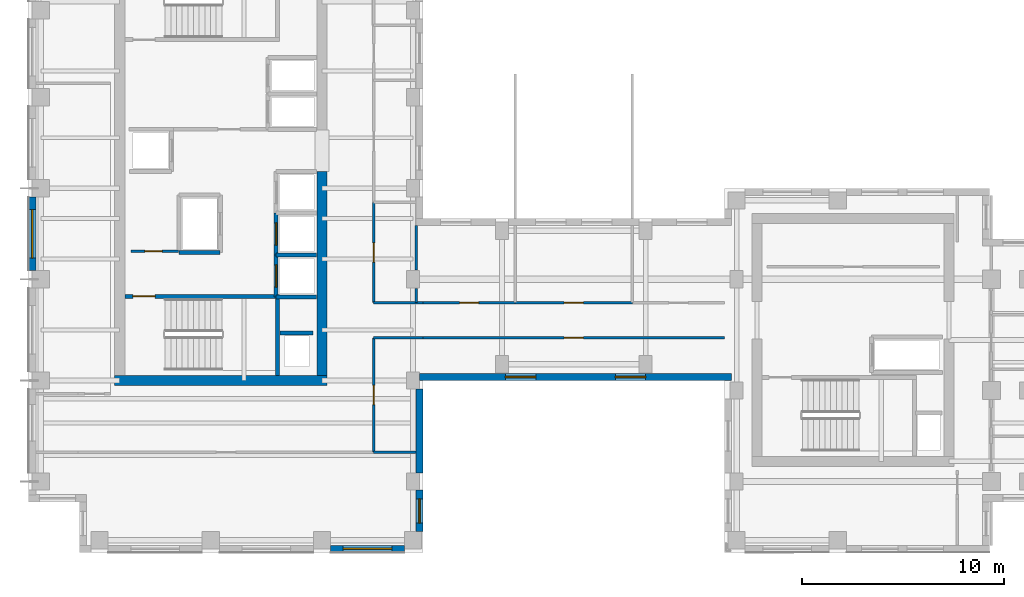
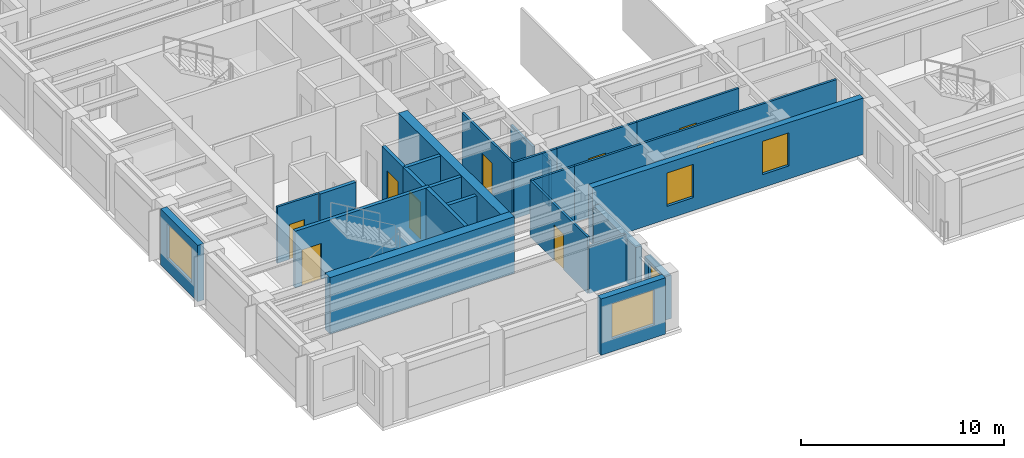
# One storey, part 3 of 10: 26 walls, 9 doors, 5 windows, 14 openings.
"""IFC4 building model written with IfcOpenShell, lengths in metres."""

from ifc_helpers import new_model, si_unit, direction, frame, frame_2d, origin, place, context, subcontext, project, spatial, rectangle, extrude, source, transform, mapped, material, layer, layer_set, type_object, element, fill, save


model = new_model("IFC4")

# Units and contexts
model_context = context("Model", 3, precision=1e-05, world=origin(), true_north=direction((0.0, 1.0)))
body_context = subcontext(model_context, "Body", "Model", "MODEL_VIEW")
ifc_project = project(units=[si_unit("LENGTHUNIT", "METRE"), si_unit("AREAUNIT", "SQUARE_METRE"), si_unit("VOLUMEUNIT", "CUBIC_METRE"), si_unit("PLANEANGLEUNIT", "RADIAN"), si_unit("MASSUNIT", "GRAM", prefix="KILO")], contexts=[model_context])

# Site, building, storey
site_placement = place(None, origin())
site = spatial("IfcSite", under=ifc_project, at=site_placement, CompositionType="ELEMENT")
building_placement = place(site_placement, origin())
building = spatial("IfcBuilding", under=site, at=building_placement, Name="Kharzan Plaza Tower", CompositionType="ELEMENT")
storey_placement = place(building_placement, frame((0.0, 0.0, 223.199951171875)))
storey = spatial("IfcBuildingStorey", under=building, at=storey_placement, Name="L60", CompositionType="ELEMENT", Elevation=223.199951171875)

# Wall, opening, window
ifc_material_1 = material(Name="Concrete C40/50", Category="concrete")
ifc_layer_1 = layer(ifc_material_1, 0.35009765625)
ifc_layer_set_1 = layer_set([ifc_layer_1], Name="Concrete C40/50")
wall_type_1 = type_object("IfcWallType", Name="WL-EXT-MAS-Z4", PredefinedType="SOLIDWALL", material=ifc_layer_set_1)
wall_1_placement = place(storey_placement, frame((0.175048828125, 17.576904296875, 0.0), z_axis=(0.0, 0.0, 1.0), x_axis=(0.0, -1.0, 0.0)))
wall_1 = element("IfcWall", 1, at=wall_1_placement, inside=storey, type_object=wall_type_1, Name="L60 Masonry-Frame Exterior Wall 20", PredefinedType="SOLIDWALL", context=body_context, shape_type="SweptSolid", body=[
    extrude(rectangle(XDim=3.65380859375, YDim=0.35009765625, at=frame_2d((1.826904296875, 0.0))), origin(), (0.0, 0.0, 1.0), 3.385009765625),
])
opening_1_placement = place(wall_1_placement, frame((0.626953125, 0.0, 0.780029296875)))
opening_1 = element("IfcOpeningElement", 2, at=opening_1_placement, cuts=wall_1, Name="Opening W2", PredefinedType="OPENING", context=body_context, shape_type="SweptSolid", body=[
    extrude(rectangle(XDim=2.39990234375, YDim=2.10009765625, at=frame_2d((1.199951171875, 1.050048828125))), frame((0.0, 0.18505859375, 0.0), z_axis=(0.0, -1.0, 0.0), x_axis=(1.0, 0.0, 0.0)), (0.0, 0.0, 1.0), 0.3701171875),
])
ifc_material_2 = material(Name="Low-E Double Glazing", Category="glass")
window_type_1 = type_object("IfcWindowType", Name="WN-REC-2400x2100", PartitioningType="SINGLE_PANEL", PredefinedType="WINDOW", material=ifc_material_2)
shared_shape_1 = source(origin(), body_context, "Body", "SweptSolid", [
    extrude(rectangle(XDim=2.39990234375, YDim=2.10009765625, at=frame_2d((1.199951171875, 1.050048828125))), frame((0.0, 0.030029296875, 0.0), z_axis=(0.0, -1.0, 0.0), x_axis=(1.0, 0.0, 0.0)), (0.0, 0.0, 1.0), 0.06005859375),
])
window_1_placement = place(opening_1_placement, origin())
window_1 = element("IfcWindow", 3, at=window_1_placement, inside=storey, type_object=window_type_1, Name="L60 Wide Recessed Solar-Control Window 20-1", OverallHeight=2.10009765625, OverallWidth=2.39990234375, PartitioningType="SINGLE_PANEL", PredefinedType="WINDOW", context=body_context, shape_type="MappedRepresentation", body=[
    mapped(shared_shape_1, transform((0.0, 0.0, 0.0), x_axis=(1.0, 0.0, 0.0), y_axis=(0.0, 1.0, 0.0), z_axis=(0.0, 0.0, 1.0))),
])
fill(opening_1, window_1)

wall_2_placement = place(storey_placement, frame((14.923095703125, 0.175048828125, 0.0), z_axis=(0.0, 0.0, 1.0), x_axis=(1.0, 0.0, 0.0)))
wall_2 = element("IfcWall", 4, at=wall_2_placement, inside=storey, type_object=wall_type_1, Name="L60 Masonry-Frame Exterior Wall 29", PredefinedType="SOLIDWALL", context=body_context, shape_type="SweptSolid", body=[
    extrude(rectangle(XDim=3.65380859375, YDim=0.35009765625, at=frame_2d((1.826904296875, 0.0))), origin(), (0.0, 0.0, 1.0), 3.385009765625),
])
opening_2_placement = place(wall_2_placement, frame((0.626953125, 0.0, 0.780029296875)))
opening_2 = element("IfcOpeningElement", 5, at=opening_2_placement, cuts=wall_2, Name="Opening W2", PredefinedType="OPENING", context=body_context, shape_type="SweptSolid", body=[
    extrude(rectangle(XDim=2.39990234375, YDim=2.10009765625, at=frame_2d((1.199951171875, 1.050048828125))), frame((0.0, 0.18505859375, 0.0), z_axis=(0.0, -1.0, 0.0), x_axis=(1.0, 0.0, 0.0)), (0.0, 0.0, 1.0), 0.3701171875),
])
window_2_placement = place(opening_2_placement, origin())
window_2 = element("IfcWindow", 6, at=window_2_placement, inside=storey, type_object=window_type_1, Name="L60 Wide Recessed Solar-Control Window 29-1", OverallHeight=2.10009765625, OverallWidth=2.39990234375, PartitioningType="SINGLE_PANEL", PredefinedType="WINDOW", context=body_context, shape_type="MappedRepresentation", body=[
    mapped(shared_shape_1, transform((0.0, 0.0, 0.0), x_axis=(1.0, 0.0, 0.0), y_axis=(0.0, 1.0, 0.0), z_axis=(0.0, 0.0, 1.0))),
])
fill(opening_2, window_2)

wall_3_placement = place(storey_placement, frame((19.324951171875, 1.02294921875, 0.0), z_axis=(0.0, 0.0, 1.0), x_axis=(0.0, 1.0, 0.0)))
wall_3 = element("IfcWall", 7, at=wall_3_placement, inside=storey, type_object=wall_type_1, Name="L60 Masonry-Frame Exterior Wall 30", PredefinedType="SOLIDWALL", context=body_context, shape_type="SweptSolid", body=[
    extrude(rectangle(XDim=2.053955078125, YDim=0.35009765625, at=frame_2d((1.02685546875, 0.0))), origin(), (0.0, 0.0, 1.0), 2.619140625),
])
opening_3_placement = place(wall_3_placement, frame((0.427001953125, 0.0, 0.780029296875)))
opening_3 = element("IfcOpeningElement", 8, at=opening_3_placement, cuts=wall_3, Name="Opening W3", PredefinedType="OPENING", context=body_context, shape_type="SweptSolid", body=[
    extrude(rectangle(XDim=1.199951171875, YDim=1.658935546875, at=frame_2d((0.60009765625, 0.82958984375))), frame((0.0, 0.18505859375, 0.0), z_axis=(0.0, -1.0, 0.0), x_axis=(1.0, 0.0, 0.0)), (0.0, 0.0, 1.0), 0.3701171875),
])
window_type_2 = type_object("IfcWindowType", Name="WN-REC-1200x2100", PartitioningType="SINGLE_PANEL", PredefinedType="WINDOW", material=ifc_material_2)
shared_shape_2 = source(origin(), body_context, "Body", "SweptSolid", [
    extrude(rectangle(XDim=1.199951171875, YDim=1.658935546875, at=frame_2d((0.60009765625, 0.82958984375))), frame((0.0, 0.030029296875, 0.0), z_axis=(0.0, -1.0, 0.0), x_axis=(1.0, 0.0, 0.0)), (0.0, 0.0, 1.0), 0.06005859375),
])
window_3_placement = place(opening_3_placement, origin())
window_3 = element("IfcWindow", 9, at=window_3_placement, inside=storey, type_object=window_type_2, Name="L60 Recessed Solar-Control Window 30-1", OverallHeight=1.658935546875, OverallWidth=1.199951171875, PartitioningType="SINGLE_PANEL", PredefinedType="WINDOW", context=body_context, shape_type="MappedRepresentation", body=[
    mapped(shared_shape_2, transform((0.0, 0.0, 0.0), x_axis=(1.0, 0.0, 0.0), y_axis=(0.0, 1.0, 0.0), z_axis=(0.0, 0.0, 1.0))),
])
fill(opening_3, window_3)

# Wall, openings, windows
wall_4_placement = place(storey_placement, frame((19.322998046875, 8.675048828125, 0.0), z_axis=(0.0, 0.0, 1.0), x_axis=(1.0, 0.0, 0.0)))
wall_4 = element("IfcWall", 10, at=wall_4_placement, inside=storey, type_object=wall_type_1, Name="L60 Masonry-Frame Exterior Wall 32", PredefinedType="SOLIDWALL", context=body_context, shape_type="SweptSolid", body=[
    extrude(rectangle(XDim=15.427001953125, YDim=0.35009765625, at=frame_2d((7.71337890625, 0.0))), origin(), (0.0, 0.0, 1.0), 3.385009765625),
])
opening_4_placement = place(wall_4_placement, frame((4.2490234375, 0.0, 0.780029296875)))
opening_4 = element("IfcOpeningElement", 11, at=opening_4_placement, cuts=wall_4, Name="Opening W5", PredefinedType="OPENING", context=body_context, shape_type="SweptSolid", body=[
    extrude(rectangle(XDim=1.5, YDim=2.0, at=frame_2d((0.75, 1.0))), frame((0.0, 0.18505859375, 0.0), z_axis=(0.0, -1.0, 0.0), x_axis=(1.0, 0.0, 0.0)), (0.0, 0.0, 1.0), 0.3701171875),
])
opening_5_placement = place(wall_4_placement, frame((9.677978515625, 0.0, 0.780029296875)))
opening_5 = element("IfcOpeningElement", 12, at=opening_5_placement, cuts=wall_4, Name="Opening W5", PredefinedType="OPENING", context=body_context, shape_type="SweptSolid", body=[
    extrude(rectangle(XDim=1.5, YDim=2.0, at=frame_2d((0.75, 1.0))), frame((0.0, 0.18505859375, 0.0), z_axis=(0.0, -1.0, 0.0), x_axis=(1.0, 0.0, 0.0)), (0.0, 0.0, 1.0), 0.3701171875),
])
window_type_3 = type_object("IfcWindowType", Name="WN-SLT-1500x2000", PartitioningType="SINGLE_PANEL", PredefinedType="WINDOW", material=ifc_material_2)
shared_shape_3 = source(origin(), body_context, "Body", "SweptSolid", [
    extrude(rectangle(XDim=1.5, YDim=2.0, at=frame_2d((0.75, 1.0))), frame((0.0, 0.030029296875, 0.0), z_axis=(0.0, -1.0, 0.0), x_axis=(1.0, 0.0, 0.0)), (0.0, 0.0, 1.0), 0.06005859375),
])
window_4_placement = place(opening_4_placement, origin())
window_4 = element("IfcWindow", 13, at=window_4_placement, inside=storey, type_object=window_type_3, Name="L60 Recessed Solar-Control Window 32-1", OverallHeight=2.0, OverallWidth=1.5, PartitioningType="SINGLE_PANEL", PredefinedType="WINDOW", context=body_context, shape_type="MappedRepresentation", body=[
    mapped(shared_shape_3, transform((0.0, 0.0, 0.0), x_axis=(1.0, 0.0, 0.0), y_axis=(0.0, 1.0, 0.0), z_axis=(0.0, 0.0, 1.0))),
])
fill(opening_4, window_4)
window_5_placement = place(opening_5_placement, origin())
window_5 = element("IfcWindow", 14, at=window_5_placement, inside=storey, type_object=window_type_3, Name="L60 Recessed Solar-Control Window 32-2", OverallHeight=2.0, OverallWidth=1.5, PartitioningType="SINGLE_PANEL", PredefinedType="WINDOW", context=body_context, shape_type="MappedRepresentation", body=[
    mapped(shared_shape_3, transform((0.0, 0.0, 0.0), x_axis=(1.0, 0.0, 0.0), y_axis=(0.0, 1.0, 0.0), z_axis=(0.0, 0.0, 1.0))),
])
fill(opening_5, window_5)

# Wall, opening, door
ifc_material_3 = material(Name="Fire-Rated Gypsum Board Partition", Category="gypsum")
ifc_layer_2 = layer(ifc_material_3, 0.125)
ifc_layer_set_2 = layer_set([ifc_layer_2], Name="Fire-Rated Gypsum Board Partition")
wall_type_2 = type_object("IfcWallType", Name="WL-INT-PART-125", PredefinedType="PARTITIONING", material=ifc_layer_set_2)
wall_5_placement = place(storey_placement, frame((5.050048828125, 14.8798828125, 0.0), z_axis=(0.0, 0.0, 1.0), x_axis=(1.0, 0.0, 0.0)))
wall_5 = element("IfcWall", 15, at=wall_5_placement, inside=storey, type_object=wall_type_2, Name="L60 Interior Partition CA-K0", PredefinedType="PARTITIONING", context=body_context, shape_type="SweptSolid", body=[
    extrude(rectangle(XDim=2.349853515625, YDim=0.125, at=frame_2d((1.1748046875, 0.0))), origin(), (0.0, 0.0, 1.0), 3.385009765625),
])
opening_6_placement = place(wall_5_placement, frame((0.699951171875, 0.0, 0.0)))
opening_6 = element("IfcOpeningElement", 16, at=opening_6_placement, cuts=wall_5, Name="Opening RD1", PredefinedType="OPENING", context=body_context, shape_type="SweptSolid", body=[
    extrude(rectangle(XDim=0.85009765625, YDim=2.10009765625, at=frame_2d((0.425048828125, 1.050048828125))), frame((0.0, 0.072509765625, 0.0), z_axis=(0.0, -1.0, 0.0), x_axis=(1.0, 0.0, 0.0)), (0.0, 0.0, 1.0), 0.14501953125),
])
ifc_material_4 = material(Name="Powder-Coated Fire-Rated Steel", Category="steel")
door_type_1 = type_object("IfcDoorType", Name="DR-RISER-900", OperationType="NOTDEFINED", PredefinedType="DOOR", material=ifc_material_4)
shared_shape_4 = source(origin(), body_context, "Body", "SweptSolid", [
    extrude(rectangle(XDim=0.85009765625, YDim=2.10009765625, at=frame_2d((0.425048828125, 1.050048828125))), frame((0.0, 0.02490234375, 0.0), z_axis=(0.0, -1.0, 0.0), x_axis=(1.0, 0.0, 0.0)), (0.0, 0.0, 1.0), 0.050048828125),
])
door_1_placement = place(opening_6_placement, origin())
door_1 = element("IfcDoor", 17, at=door_1_placement, inside=storey, type_object=door_type_1, Name="L60 Cleaners Store Door", OperationType="SINGLE_SWING_LEFT", OverallHeight=2.10009765625, OverallWidth=0.85009765625, PredefinedType="DOOR", context=body_context, shape_type="MappedRepresentation", body=[
    mapped(shared_shape_4, transform((0.0, 0.0, 0.0), x_axis=(1.0, 0.0, 0.0), y_axis=(0.0, 1.0, 0.0), z_axis=(0.0, 0.0, 1.0))),
])
fill(opening_6, door_1)

wall_6_placement = place(storey_placement, frame((17.050048828125, 12.35009765625, 0.0), z_axis=(0.0, 0.0, 1.0), x_axis=(0.0, 1.0, 0.0)))
wall_6 = element("IfcWall", 18, at=wall_6_placement, inside=storey, type_object=wall_type_2, Name="L60 Interior Partition SH-AEWN1", PredefinedType="PARTITIONING", context=body_context, shape_type="SweptSolid", body=[
    extrude(rectangle(XDim=4.949951171875, YDim=0.125, at=frame_2d((2.47509765625, 0.0))), origin(), (0.0, 0.0, 1.0), 3.385009765625),
])
opening_7_placement = place(wall_6_placement, frame((2.0, 0.0, 0.0)))
opening_7 = element("IfcOpeningElement", 19, at=opening_7_placement, cuts=wall_6, Name="Opening OD1", PredefinedType="OPENING", context=body_context, shape_type="SweptSolid", body=[
    extrude(rectangle(XDim=0.949951171875, YDim=2.14990234375, at=frame_2d((0.47509765625, 1.074951171875))), frame((0.0, 0.072509765625, 0.0), z_axis=(0.0, -1.0, 0.0), x_axis=(1.0, 0.0, 0.0)), (0.0, 0.0, 1.0), 0.14501953125),
])
ifc_material_5 = material(Name="Acoustic Solid-Core Stained Oak", Category="timber")
door_type_2 = type_object("IfcDoorType", Name="DR-OFF-SINGLE", OperationType="NOTDEFINED", PredefinedType="DOOR", material=ifc_material_5)
shared_shape_5 = source(origin(), body_context, "Body", "SweptSolid", [
    extrude(rectangle(XDim=0.949951171875, YDim=2.14990234375, at=frame_2d((0.47509765625, 1.074951171875))), frame((0.0, 0.02490234375, 0.0), z_axis=(0.0, -1.0, 0.0), x_axis=(1.0, 0.0, 0.0)), (0.0, 0.0, 1.0), 0.050048828125),
])
door_2_placement = place(opening_7_placement, origin())
door_2 = element("IfcDoor", 20, at=door_2_placement, inside=storey, type_object=door_type_2, Name="L60 Slot Collaboration Door", OperationType="SINGLE_SWING_LEFT", OverallHeight=2.14990234375, OverallWidth=0.949951171875, PredefinedType="DOOR", context=body_context, shape_type="MappedRepresentation", body=[
    mapped(shared_shape_5, transform((0.0, 0.0, 0.0), x_axis=(1.0, 0.0, 0.0), y_axis=(0.0, 1.0, 0.0), z_axis=(0.0, 0.0, 1.0))),
])
fill(opening_7, door_2)

wall_7_placement = place(storey_placement, frame((17.050048828125, 4.949951171875, 0.0), z_axis=(0.0, 0.0, 1.0), x_axis=(0.0, 1.0, 0.0)))
wall_7 = element("IfcWall", 21, at=wall_7_placement, inside=storey, type_object=wall_type_2, Name="L60 Interior Partition SH-AEWS", PredefinedType="PARTITIONING", context=body_context, shape_type="SweptSolid", body=[
    extrude(rectangle(XDim=5.650146484375, YDim=0.125, at=frame_2d((2.8251953125, 0.0))), origin(), (0.0, 0.0, 1.0), 3.385009765625),
])
opening_8_placement = place(wall_7_placement, frame((2.35009765625, 0.0, 0.0)))
opening_8 = element("IfcOpeningElement", 22, at=opening_8_placement, cuts=wall_7, Name="Opening OD1", PredefinedType="OPENING", context=body_context, shape_type="SweptSolid", body=[
    extrude(rectangle(XDim=0.949951171875, YDim=2.14990234375, at=frame_2d((0.47509765625, 1.074951171875))), frame((0.0, 0.072509765625, 0.0), z_axis=(0.0, -1.0, 0.0), x_axis=(1.0, 0.0, 0.0)), (0.0, 0.0, 1.0), 0.14501953125),
])
door_3_placement = place(opening_8_placement, origin())
door_3 = element("IfcDoor", 23, at=door_3_placement, inside=storey, type_object=door_type_2, Name="L60 Slot South Office Door", OperationType="SINGLE_SWING_RIGHT", OverallHeight=2.14990234375, OverallWidth=0.949951171875, PredefinedType="DOOR", context=body_context, shape_type="MappedRepresentation", body=[
    mapped(shared_shape_5, transform((0.0, 0.0, 0.0), x_axis=(1.0, 0.0, 0.0), y_axis=(0.0, 1.0, 0.0), z_axis=(0.0, 0.0, 1.0))),
])
fill(opening_8, door_3)

wall_8_placement = place(storey_placement, frame((24.050048828125, 12.35009765625, 0.0), z_axis=(0.0, 0.0, 1.0), x_axis=(1.0, 0.0, 0.0)))
wall_8 = element("IfcWall", 24, at=wall_8_placement, inside=storey, type_object=wall_type_2, Name="L60 Interior Partition SH-SPNM", PredefinedType="PARTITIONING", context=body_context, shape_type="SweptSolid", body=[
    extrude(rectangle(XDim=5.800048828125, YDim=0.125, at=frame_2d((2.89990234375, 0.0))), origin(), (0.0, 0.0, 1.0), 3.385009765625),
])
opening_9_placement = place(wall_8_placement, frame((2.425048828125, 0.0, 0.0)))
opening_9 = element("IfcOpeningElement", 25, at=opening_9_placement, cuts=wall_8, Name="Opening OD1", PredefinedType="OPENING", context=body_context, shape_type="SweptSolid", body=[
    extrude(rectangle(XDim=0.949951171875, YDim=2.14990234375, at=frame_2d((0.47509765625, 1.074951171875))), frame((0.0, 0.072509765625, 0.0), z_axis=(0.0, -1.0, 0.0), x_axis=(1.0, 0.0, 0.0)), (0.0, 0.0, 1.0), 0.14501953125),
])
door_4_placement = place(opening_9_placement, origin())
door_4 = element("IfcDoor", 26, at=door_4_placement, inside=storey, type_object=door_type_2, Name="L60 Reclaimed Spine Door", OperationType="SINGLE_SWING_RIGHT", OverallHeight=2.14990234375, OverallWidth=0.949951171875, PredefinedType="DOOR", context=body_context, shape_type="MappedRepresentation", body=[
    mapped(shared_shape_5, transform((0.0, 0.0, 0.0), x_axis=(1.0, 0.0, 0.0), y_axis=(0.0, 1.0, 0.0), z_axis=(0.0, 0.0, 1.0))),
])
fill(opening_9, door_4)

wall_9_placement = place(storey_placement, frame((19.5, 12.35009765625, 0.0), z_axis=(0.0, 0.0, 1.0), x_axis=(1.0, 0.0, 0.0)))
wall_9 = element("IfcWall", 27, at=wall_9_placement, inside=storey, type_object=wall_type_2, Name="L60 Interior Partition SH-SPNW1", PredefinedType="PARTITIONING", context=body_context, shape_type="SweptSolid", body=[
    extrude(rectangle(XDim=4.550048828125, YDim=0.125, at=frame_2d((2.27490234375, 0.0))), origin(), (0.0, 0.0, 1.0), 3.385009765625),
])
opening_10_placement = place(wall_9_placement, frame((1.800048828125, 0.0, 0.0)))
opening_10 = element("IfcOpeningElement", 28, at=opening_10_placement, cuts=wall_9, Name="Opening OD1", PredefinedType="OPENING", context=body_context, shape_type="SweptSolid", body=[
    extrude(rectangle(XDim=0.949951171875, YDim=2.14990234375, at=frame_2d((0.47509765625, 1.074951171875))), frame((0.0, 0.072509765625, 0.0), z_axis=(0.0, -1.0, 0.0), x_axis=(1.0, 0.0, 0.0)), (0.0, 0.0, 1.0), 0.14501953125),
])
door_5_placement = place(opening_10_placement, origin())
door_5 = element("IfcDoor", 29, at=door_5_placement, inside=storey, type_object=door_type_2, Name="L60 North-West Spine Door", OperationType="SINGLE_SWING_RIGHT", OverallHeight=2.14990234375, OverallWidth=0.949951171875, PredefinedType="DOOR", context=body_context, shape_type="MappedRepresentation", body=[
    mapped(shared_shape_5, transform((0.0, 0.0, 0.0), x_axis=(1.0, 0.0, 0.0), y_axis=(0.0, 1.0, 0.0), z_axis=(0.0, 0.0, 1.0))),
])
fill(opening_10, door_5)

wall_10_placement = place(storey_placement, frame((19.5, 10.60009765625, 0.0), z_axis=(0.0, 0.0, 1.0), x_axis=(1.0, 0.0, 0.0)))
wall_10 = element("IfcWall", 30, at=wall_10_placement, inside=storey, type_object=wall_type_2, Name="L60 Interior Partition SH-SPS1", PredefinedType="PARTITIONING", context=body_context, shape_type="SweptSolid", body=[
    extrude(rectangle(XDim=14.89990234375, YDim=0.125, at=frame_2d((7.449951171875, 0.0))), origin(), (0.0, 0.0, 1.0), 3.385009765625),
])
opening_11_placement = place(wall_10_placement, frame((6.97509765625, 0.0, 0.0)))
opening_11 = element("IfcOpeningElement", 31, at=opening_11_placement, cuts=wall_10, Name="Opening OD1", PredefinedType="OPENING", context=body_context, shape_type="SweptSolid", body=[
    extrude(rectangle(XDim=0.949951171875, YDim=2.14990234375, at=frame_2d((0.47509765625, 1.074951171875))), frame((0.0, 0.072509765625, 0.0), z_axis=(0.0, -1.0, 0.0), x_axis=(1.0, 0.0, 0.0)), (0.0, 0.0, 1.0), 0.14501953125),
])
door_6_placement = place(opening_11_placement, origin())
door_6 = element("IfcDoor", 32, at=door_6_placement, inside=storey, type_object=door_type_2, Name="L60 South Spine Studio Door", OperationType="SINGLE_SWING_LEFT", OverallHeight=2.14990234375, OverallWidth=0.949951171875, PredefinedType="DOOR", context=body_context, shape_type="MappedRepresentation", body=[
    mapped(shared_shape_5, transform((0.0, 0.0, 0.0), x_axis=(1.0, 0.0, 0.0), y_axis=(0.0, 1.0, 0.0), z_axis=(0.0, 0.0, 1.0))),
])
fill(opening_11, door_6)

ifc_layer_3 = layer(ifc_material_1, 0.199951171875)
ifc_layer_set_3 = layer_set([ifc_layer_3], Name="Concrete C40/50")
wall_type_3 = type_object("IfcWallType", Name="WL-INT-SHAFT-200", PredefinedType="PARTITIONING", material=ifc_layer_set_3)
wall_11_placement = place(storey_placement, frame((12.22998046875, 12.6298828125, 0.0), z_axis=(0.0, 0.0, 1.0), x_axis=(0.0, 1.0, 0.0)))
wall_11 = element("IfcWall", 33, at=wall_11_placement, inside=storey, type_object=wall_type_3, Name="L60 Interior Partition SHF-PL-H1-W", PredefinedType="PARTITIONING", context=body_context, shape_type="SweptSolid", body=[
    extrude(rectangle(XDim=2.070068359375, YDim=0.199951171875, at=frame_2d((1.03515625, 0.0))), origin(), (0.0, 0.0, 1.0), 3.385009765625),
])
opening_12_placement = place(wall_11_placement, frame((0.485107421875, 0.0, 0.0)))
opening_12 = element("IfcOpeningElement", 34, at=opening_12_placement, cuts=wall_11, Name="Opening LD", PredefinedType="OPENING", context=body_context, shape_type="SweptSolid", body=[
    extrude(rectangle(XDim=1.10009765625, YDim=2.199951171875, at=frame_2d((0.550048828125, 1.10009765625))), frame((0.0, 0.10986328125, 0.0), z_axis=(0.0, -1.0, 0.0), x_axis=(1.0, 0.0, 0.0)), (0.0, 0.0, 1.0), 0.219970703125),
])
ifc_material_6 = material(Name="Brushed Stainless Steel", Category="steel")
door_type_3 = type_object("IfcDoorType", Name="DR-LIFT-SLIDE", OperationType="SLIDING_TO_LEFT", PredefinedType="DOOR", material=ifc_material_6)
shared_shape_6 = source(origin(), body_context, "Body", "SweptSolid", [
    extrude(rectangle(XDim=1.10009765625, YDim=2.199951171875, at=frame_2d((0.550048828125, 1.10009765625))), frame((0.0, 0.02490234375, 0.0), z_axis=(0.0, -1.0, 0.0), x_axis=(1.0, 0.0, 0.0)), (0.0, 0.0, 1.0), 0.050048828125),
])
door_7_placement = place(opening_12_placement, origin())
door_7 = element("IfcDoor", 35, at=door_7_placement, inside=storey, type_object=door_type_3, Name="L60 High-Rise Passenger Lift PL-H1 Sliding Landing Door", OperationType="SLIDING_TO_LEFT", OverallHeight=2.199951171875, OverallWidth=1.10009765625, PredefinedType="DOOR", context=body_context, shape_type="MappedRepresentation", body=[
    mapped(shared_shape_6, transform((0.0, 0.0, 0.0), x_axis=(1.0, 0.0, 0.0), y_axis=(0.0, 1.0, 0.0), z_axis=(0.0, 0.0, 1.0))),
])
fill(opening_12, door_7)

wall_12_placement = place(storey_placement, frame((12.22998046875, 14.699951171875, 0.0), z_axis=(0.0, 0.0, 1.0), x_axis=(0.0, 1.0, 0.0)))
wall_12 = element("IfcWall", 36, at=wall_12_placement, inside=storey, type_object=wall_type_3, Name="L60 Interior Partition SHF-PL-H2-W", PredefinedType="PARTITIONING", context=body_context, shape_type="SweptSolid", body=[
    extrude(rectangle(XDim=2.070068359375, YDim=0.199951171875, at=frame_2d((1.03515625, 0.0))), origin(), (0.0, 0.0, 1.0), 3.385009765625),
])
opening_13_placement = place(wall_12_placement, frame((0.485107421875, 0.0, 0.0)))
opening_13 = element("IfcOpeningElement", 37, at=opening_13_placement, cuts=wall_12, Name="Opening LD", PredefinedType="OPENING", context=body_context, shape_type="SweptSolid", body=[
    extrude(rectangle(XDim=1.10009765625, YDim=2.199951171875, at=frame_2d((0.550048828125, 1.10009765625))), frame((0.0, 0.10986328125, 0.0), z_axis=(0.0, -1.0, 0.0), x_axis=(1.0, 0.0, 0.0)), (0.0, 0.0, 1.0), 0.219970703125),
])
door_8_placement = place(opening_13_placement, origin())
door_8 = element("IfcDoor", 38, at=door_8_placement, inside=storey, type_object=door_type_3, Name="L60 High-Rise Passenger Lift PL-H2 Sliding Landing Door", OperationType="SLIDING_TO_LEFT", OverallHeight=2.199951171875, OverallWidth=1.10009765625, PredefinedType="DOOR", context=body_context, shape_type="MappedRepresentation", body=[
    mapped(shared_shape_6, transform((0.0, 0.0, 0.0), x_axis=(1.0, 0.0, 0.0), y_axis=(0.0, 1.0, 0.0), z_axis=(0.0, 0.0, 1.0))),
])
fill(opening_13, door_8)

ifc_material_7 = material(Name="Concrete C50/60", Category="concrete")
ifc_layer_4 = layer(ifc_material_7, 0.199951171875)
ifc_layer_set_4 = layer_set([ifc_layer_4], Name="Concrete C50/60")
wall_type_4 = type_object("IfcWallType", Name="WL-SHAFT-RC200", PredefinedType="SHEAR", material=ifc_layer_set_4)
wall_13_placement = place(storey_placement, frame((4.751953125, 12.655029296875, 0.0), z_axis=(0.0, 0.0, 1.0), x_axis=(1.0, 0.0, 0.0)))
wall_13 = element("IfcWall", 39, at=wall_13_placement, inside=storey, type_object=wall_type_4, Name="L60 Stair ST-1 North RC Shaft Wall", PredefinedType="SHEAR", context=body_context, shape_type="SweptSolid", body=[
    extrude(rectangle(XDim=7.653076171875, YDim=0.199951171875, at=frame_2d((3.82666015625, 0.0))), origin(), (0.0, 0.0, 1.0), 3.400146484375),
])
opening_14_placement = place(wall_13_placement, frame((0.39990234375, 0.0, 0.0)))
opening_14 = element("IfcOpeningElement", 40, at=opening_14_placement, cuts=wall_13, Name="Opening SD1", PredefinedType="OPENING", context=body_context, shape_type="SweptSolid", body=[
    extrude(rectangle(XDim=1.10009765625, YDim=2.14990234375, at=frame_2d((0.550048828125, 1.074951171875))), frame((0.0, 0.10986328125, 0.0), z_axis=(0.0, -1.0, 0.0), x_axis=(1.0, 0.0, 0.0)), (0.0, 0.0, 1.0), 0.219970703125),
])
ifc_material_8 = material(Name="Fire-Rated Hollow Galvanized Steel", Category="steel")
door_type_4 = type_object("IfcDoorType", Name="DR-STAIR-FD120", OperationType="NOTDEFINED", PredefinedType="DOOR", material=ifc_material_8)
shared_shape_7 = source(origin(), body_context, "Body", "SweptSolid", [
    extrude(rectangle(XDim=1.10009765625, YDim=2.14990234375, at=frame_2d((0.550048828125, 1.074951171875))), frame((0.0, 0.02490234375, 0.0), z_axis=(0.0, -1.0, 0.0), x_axis=(1.0, 0.0, 0.0)), (0.0, 0.0, 1.0), 0.050048828125),
])
door_9_placement = place(opening_14_placement, origin())
door_9 = element("IfcDoor", 41, at=door_9_placement, inside=storey, type_object=door_type_4, Name="L60 Stair ST-1 Fire Exit Door", OperationType="SINGLE_SWING_RIGHT", OverallHeight=2.14990234375, OverallWidth=1.10009765625, PredefinedType="DOOR", context=body_context, shape_type="MappedRepresentation", body=[
    mapped(shared_shape_7, transform((0.0, 0.0, 0.0), x_axis=(1.0, 0.0, 0.0), y_axis=(0.0, 1.0, 0.0), z_axis=(0.0, 0.0, 1.0))),
])
fill(opening_14, door_9)

# Walls
shared_shape_8 = source(origin(), body_context, "Body", "SweptSolid", [
    extrude(rectangle(XDim=2.449951171875, YDim=0.125, at=frame_2d((1.22509765625, 0.0))), origin(), (0.0, 0.0, 1.0), 3.385009765625),
])
for number, where, z_axis, x_axis, name in (
    (42, (17.050048828125, 12.35009765625, 0.0), (0.0, 0.0, 1.0), (1.0, 0.0, 0.0), "L60 Interior Partition SH-SPNW0"),
    (43, (17.050048828125, 10.60009765625, 0.0), (0.0, 0.0, 1.0), (1.0, 0.0, 0.0), "L60 Interior Partition SH-SPS0"),
):
    element("IfcWall", number, at=place(storey_placement, frame(where, z_axis=z_axis, x_axis=x_axis)), inside=storey, type_object=wall_type_2, Name=name, PredefinedType="PARTITIONING", context=body_context, shape_type="MappedRepresentation", body=[
        mapped(shared_shape_8, transform((0.0, 0.0, 0.0), x_axis=(1.0, 0.0, 0.0), y_axis=(0.0, 1.0, 0.0), z_axis=(0.0, 0.0, 1.0))),
    ])
shared_shape_9 = source(origin(), body_context, "Body", "SweptSolid", [
    extrude(rectangle(XDim=1.630126953125, YDim=0.199951171875, at=frame_2d((0.81494140625, 0.0))), origin(), (0.0, 0.0, 1.0), 3.385009765625),
])
wall_14_placement = place(storey_placement, frame((12.419921875, 10.85009765625, 0.0), z_axis=(0.0, 0.0, 1.0), x_axis=(1.0, 0.0, 0.0)))
element("IfcWall", 44, at=wall_14_placement, inside=storey, type_object=wall_type_3, Name="L60 Interior Partition CA-RSRA-N", PredefinedType="PARTITIONING", context=body_context, shape_type="MappedRepresentation", body=[
    mapped(shared_shape_9, transform((0.0, 0.0, 0.0), x_axis=(1.0, 0.0, 0.0), y_axis=(0.0, 1.0, 0.0), z_axis=(0.0, 0.0, 1.0))),
])
shared_shape_10 = source(origin(), body_context, "Body", "SweptSolid", [
    extrude(rectangle(XDim=2.0400390625, YDim=0.199951171875, at=frame_2d((1.02001953125, 0.0))), origin(), (0.0, 0.0, 1.0), 3.385009765625),
])
wall_15_placement = place(storey_placement, frame((7.429931640625, 14.830078125, 0.0), z_axis=(0.0, 0.0, 1.0), x_axis=(1.0, 0.0, 0.0)))
element("IfcWall", 45, at=wall_15_placement, inside=storey, type_object=wall_type_3, Name="L60 Interior Partition SHF-SVL-1-S", PredefinedType="PARTITIONING", context=body_context, shape_type="MappedRepresentation", body=[
    mapped(shared_shape_10, transform((0.0, 0.0, 0.0), x_axis=(1.0, 0.0, 0.0), y_axis=(0.0, 1.0, 0.0), z_axis=(0.0, 0.0, 1.0))),
])
shared_shape_11 = source(origin(), body_context, "Body", "SweptSolid", [
    extrude(rectangle(XDim=2.097900390625, YDim=0.125, at=frame_2d((1.048828125, 0.0))), origin(), (0.0, 0.0, 1.0), 2.84814453125),
])
wall_16_placement = place(storey_placement, frame((17.050048828125, 4.949951171875, 0.0), z_axis=(0.0, 0.0, 1.0), x_axis=(1.0, 0.0, 0.0)))
element("IfcWall", 46, at=wall_16_placement, inside=storey, type_object=wall_type_2, Name="L60 Interior Partition SH-SSE-1", PredefinedType="PARTITIONING", context=body_context, shape_type="MappedRepresentation", body=[
    mapped(shared_shape_11, transform((0.0, 0.0, 0.0), x_axis=(1.0, 0.0, 0.0), y_axis=(0.0, 1.0, 0.0), z_axis=(0.0, 0.0, 1.0))),
])
ifc_layer_5 = layer(ifc_material_7, 0.5)
ifc_layer_set_5 = layer_set([ifc_layer_5], Name="Concrete C50/60")
wall_type_5 = type_object("IfcWallType", Name="WL-CORE-500", PredefinedType="SHEAR", material=ifc_layer_set_5)
shared_shape_12 = source(origin(), body_context, "Body", "SweptSolid", [
    extrude(rectangle(XDim=10.070068359375, YDim=0.5, at=frame_2d((5.03515625, 0.0))), origin(), (0.0, 0.0, 1.0), 3.400146484375),
])
wall_17_placement = place(storey_placement, frame((14.5, 8.75, 0.0), z_axis=(0.0, 0.0, 1.0), x_axis=(0.0, 1.0, 0.0)))
element("IfcWall", 47, at=wall_17_placement, inside=storey, type_object=wall_type_5, Name="L60 CORE-A east shear pier 1", PredefinedType="SHEAR", context=body_context, shape_type="MappedRepresentation", body=[
    mapped(shared_shape_12, transform((0.0, 0.0, 0.0), x_axis=(1.0, 0.0, 0.0), y_axis=(0.0, 1.0, 0.0), z_axis=(0.0, 0.0, 1.0))),
])
shared_shape_13 = source(origin(), body_context, "Body", "SweptSolid", [
    extrude(rectangle(XDim=10.5, YDim=0.5, at=frame_2d((5.25, 0.0))), origin(), (0.0, 0.0, 1.0), 3.400146484375),
])
wall_18_placement = place(storey_placement, frame((4.25, 8.5, 0.0), z_axis=(0.0, 0.0, 1.0), x_axis=(1.0, 0.0, 0.0)))
element("IfcWall", 48, at=wall_18_placement, inside=storey, type_object=wall_type_5, Name="L60 CORE-A south RC shear wall", PredefinedType="SHEAR", context=body_context, shape_type="MappedRepresentation", body=[
    mapped(shared_shape_13, transform((0.0, 0.0, 0.0), x_axis=(1.0, 0.0, 0.0), y_axis=(0.0, 1.0, 0.0), z_axis=(0.0, 0.0, 1.0))),
])
shared_shape_14 = source(origin(), body_context, "Body", "SweptSolid", [
    extrude(rectangle(XDim=1.989990234375, YDim=0.199951171875, at=frame_2d((0.9951171875, 0.0))), origin(), (0.0, 0.0, 1.0), 3.385009765625),
])
for number, where, z_axis, x_axis, name in (
    (49, (12.22998046875, 14.699951171875, 0.0), (0.0, 0.0, 1.0), (1.0, 0.0, 0.0), "L60 Interior Partition SHF-PL-H1-N"),
    (50, (12.22998046875, 12.6298828125, 0.0), (0.0, 0.0, 1.0), (1.0, 0.0, 0.0), "L60 Interior Partition SHF-PL-H1-S"),
):
    element("IfcWall", number, at=place(storey_placement, frame(where, z_axis=z_axis, x_axis=x_axis)), inside=storey, type_object=wall_type_3, Name=name, PredefinedType="PARTITIONING", context=body_context, shape_type="MappedRepresentation", body=[
        mapped(shared_shape_14, transform((0.0, 0.0, 0.0), x_axis=(1.0, 0.0, 0.0), y_axis=(0.0, 1.0, 0.0), z_axis=(0.0, 0.0, 1.0))),
    ])
shared_shape_15 = source(origin(), body_context, "Body", "SweptSolid", [
    extrude(rectangle(XDim=3.802978515625, YDim=0.199951171875, at=frame_2d((1.9013671875, 0.0))), origin(), (0.0, 0.0, 1.0), 3.400146484375),
])
wall_19_placement = place(storey_placement, frame((12.304931640625, 8.751953125, 0.0), z_axis=(0.0, 0.0, 1.0), x_axis=(0.0, 1.0, 0.0)))
element("IfcWall", 51, at=wall_19_placement, inside=storey, type_object=wall_type_4, Name="L60 Stair ST-1 East RC Shaft Wall", PredefinedType="SHEAR", context=body_context, shape_type="MappedRepresentation", body=[
    mapped(shared_shape_15, transform((0.0, 0.0, 0.0), x_axis=(1.0, 0.0, 0.0), y_axis=(0.0, 1.0, 0.0), z_axis=(0.0, 0.0, 1.0))),
])
shared_shape_16 = source(origin(), body_context, "Body", "SweptSolid", [
    extrude(rectangle(XDim=0.699951171875, YDim=0.125, at=frame_2d((0.35009765625, 0.0))), origin(), (0.0, 0.0, 1.0), 2.77294921875),
])
wall_20_placement = place(storey_placement, frame((19.14990234375, 12.35009765625, 0.0), z_axis=(0.0, 0.0, 1.0), x_axis=(0.0, 1.0, 0.0)))
element("IfcWall", 52, at=wall_20_placement, inside=storey, type_object=wall_type_2, Name="L60 Interior Partition SH-AEN-DIV-S1", PredefinedType="PARTITIONING", context=body_context, shape_type="MappedRepresentation", body=[
    mapped(shared_shape_16, transform((0.0, 0.0, 0.0), x_axis=(1.0, 0.0, 0.0), y_axis=(0.0, 1.0, 0.0), z_axis=(0.0, 0.0, 1.0))),
])
shared_shape_17 = source(origin(), body_context, "Body", "SweptSolid", [
    extrude(rectangle(XDim=4.15380859375, YDim=0.35009765625, at=frame_2d((2.076904296875, 0.0))), origin(), (0.0, 0.0, 1.0), 2.619140625),
])
wall_21_placement = place(storey_placement, frame((19.324951171875, 3.923095703125, 0.0), z_axis=(0.0, 0.0, 1.0), x_axis=(0.0, 1.0, 0.0)))
element("IfcWall", 53, at=wall_21_placement, inside=storey, type_object=wall_type_1, Name="L60 Masonry-Frame Exterior Wall 31", PredefinedType="SOLIDWALL", context=body_context, shape_type="MappedRepresentation", body=[
    mapped(shared_shape_17, transform((0.0, 0.0, 0.0), x_axis=(1.0, 0.0, 0.0), y_axis=(0.0, 1.0, 0.0), z_axis=(0.0, 0.0, 1.0))),
])
shared_shape_18 = source(origin(), body_context, "Body", "SweptSolid", [
    extrude(rectangle(XDim=2.197998046875, YDim=0.125, at=frame_2d((1.09912109375, 0.0))), origin(), (0.0, 0.0, 1.0), 2.619140625),
])
wall_22_placement = place(storey_placement, frame((19.14990234375, 13.949951171875, 0.0), z_axis=(0.0, 0.0, 1.0), x_axis=(0.0, 1.0, 0.0)))
element("IfcWall", 54, at=wall_22_placement, inside=storey, type_object=wall_type_2, Name="L60 Interior Partition SH-AEN-DIV-S2", PredefinedType="PARTITIONING", context=body_context, shape_type="MappedRepresentation", body=[
    mapped(shared_shape_18, transform((0.0, 0.0, 0.0), x_axis=(1.0, 0.0, 0.0), y_axis=(0.0, 1.0, 0.0), z_axis=(0.0, 0.0, 1.0))),
])

save(model, "model.ifc")
